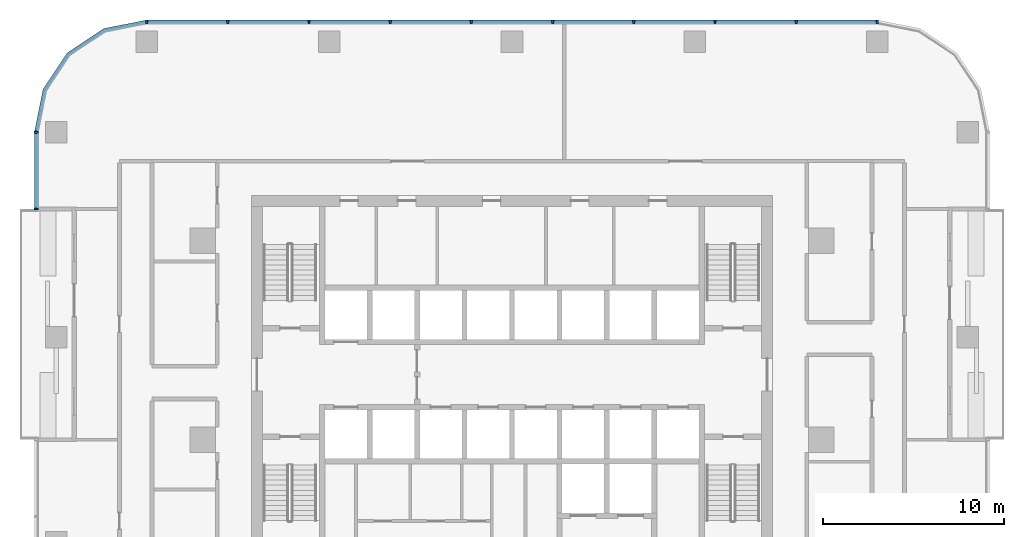
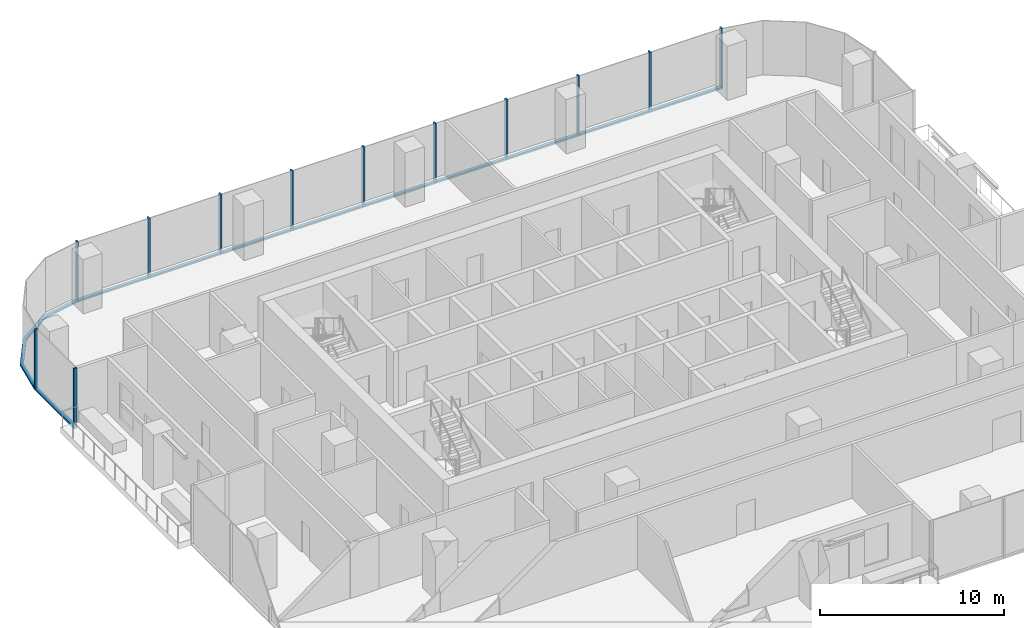
# One storey, part 4 of 14: 23 members, 3 elements without a shape of their own.
"""IFC4 building model written with IfcOpenShell, lengths in metres."""

from ifc_helpers import new_model, si_unit, direction, frame, origin, origin_2d, place, context, subcontext, project, spatial, polyline, rectangle, outline, extrude, material, material_profile, profile_set, type_object, element, aggregate, save


model = new_model("IFC4")

# Units and contexts
model_context = context("Model", 3, precision=1e-05, world=origin(), true_north=direction((0.0, 1.0)))
body_context = subcontext(model_context, "Body", "Model", "MODEL_VIEW")
ifc_project = project(units=[si_unit("LENGTHUNIT", "METRE"), si_unit("AREAUNIT", "SQUARE_METRE"), si_unit("VOLUMEUNIT", "CUBIC_METRE"), si_unit("PLANEANGLEUNIT", "RADIAN"), si_unit("MASSUNIT", "GRAM", prefix="KILO")], contexts=[model_context])

# Site, building, storey
site_placement = place(None, origin())
site = spatial("IfcSite", under=ifc_project, at=site_placement, CompositionType="ELEMENT")
building_placement = place(site_placement, origin())
building = spatial("IfcBuilding", under=site, at=building_placement, Name="Mopane Tessera Tower", CompositionType="ELEMENT")
storey_placement = place(building_placement, frame((0.0, 0.0, 161.0)))
storey = spatial("IfcBuildingStorey", under=building, at=storey_placement, Name="L32", CompositionType="ELEMENT", Elevation=161.0)

# Curtain wall, members
ifc_material_1 = material(Name="Aluminium frame", Category="aluminium")
curtain_wall_type = type_object("IfcCurtainWallType", Name="Unitised curtain wall", PredefinedType="NOTDEFINED", material=ifc_material_1)
curtain_wall_1_placement = place(storey_placement, origin())
curtain_wall_1 = element("IfcCurtainWall", 1, at=curtain_wall_1_placement, inside=storey, type_object=curtain_wall_type, Name="e:cw:L32:N:0", PredefinedType="NOTDEFINED")
ifc_material_2 = material(Name="Aluminium frame", Category="aluminium")
ifc_material_profile_1 = material_profile(ifc_material_2, rectangle(XDim=0.10009765625, YDim=0.199951171875, at=origin_2d()))
ifc_profile_set_1 = profile_set([ifc_material_profile_1], Name="Aluminium frame")
member_type_1 = type_object("IfcMemberType", Name="Aluminium mullion 100 x 200", PredefinedType="MULLION", material=ifc_profile_set_1)
member_1_placement = place(storey_placement, frame((20.199951171875, 23.10009765625, -0.39990234375), z_axis=(0.0, 0.0, 1.0), x_axis=(-1.0, 0.0, 0.0)))
member_1 = element("IfcMember", 2, at=member_1_placement, type_object=member_type_1, Name="e:cw:L32:N:0:mu0", PredefinedType="MULLION", context=body_context, shape_type="SweptSolid", body=[
    extrude(rectangle(XDim=0.10009765625, YDim=0.199951171875, at=origin_2d()), origin(), (0.0, 0.0, 1.0), 4.0),
])
member_2_placement = place(storey_placement, frame((15.711181640625, 23.10009765625, -0.39990234375), z_axis=(0.0, 0.0, 1.0), x_axis=(-1.0, 0.0, 0.0)))
member_2 = element("IfcMember", 3, at=member_2_placement, type_object=member_type_1, Name="e:cw:L32:N:0:mu1", PredefinedType="MULLION", context=body_context, shape_type="SweptSolid", body=[
    extrude(rectangle(XDim=0.10009765625, YDim=0.199951171875, at=origin_2d()), origin(), (0.0, 0.0, 1.0), 4.0),
])
member_3_placement = place(storey_placement, frame((11.22216796875, 23.10009765625, -0.39990234375), z_axis=(0.0, 0.0, 1.0), x_axis=(-1.0, 0.0, 0.0)))
member_3 = element("IfcMember", 4, at=member_3_placement, type_object=member_type_1, Name="e:cw:L32:N:0:mu2", PredefinedType="MULLION", context=body_context, shape_type="SweptSolid", body=[
    extrude(rectangle(XDim=0.10009765625, YDim=0.199951171875, at=origin_2d()), origin(), (0.0, 0.0, 1.0), 4.0),
])
member_4_placement = place(storey_placement, frame((6.7333984375, 23.10009765625, -0.39990234375), z_axis=(0.0, 0.0, 1.0), x_axis=(-1.0, 0.0, 0.0)))
member_4 = element("IfcMember", 5, at=member_4_placement, type_object=member_type_1, Name="e:cw:L32:N:0:mu3", PredefinedType="MULLION", context=body_context, shape_type="SweptSolid", body=[
    extrude(rectangle(XDim=0.10009765625, YDim=0.199951171875, at=origin_2d()), origin(), (0.0, 0.0, 1.0), 4.0),
])
member_5_placement = place(storey_placement, frame((2.244384765625, 23.10009765625, -0.39990234375), z_axis=(0.0, 0.0, 1.0), x_axis=(-1.0, 0.0, 0.0)))
member_5 = element("IfcMember", 6, at=member_5_placement, type_object=member_type_1, Name="e:cw:L32:N:0:mu4", PredefinedType="MULLION", context=body_context, shape_type="SweptSolid", body=[
    extrude(rectangle(XDim=0.10009765625, YDim=0.199951171875, at=origin_2d()), origin(), (0.0, 0.0, 1.0), 4.0),
])
member_6_placement = place(storey_placement, frame((-2.244384765625, 23.10009765625, -0.39990234375), z_axis=(0.0, 0.0, 1.0), x_axis=(-1.0, 0.0, 0.0)))
member_6 = element("IfcMember", 7, at=member_6_placement, type_object=member_type_1, Name="e:cw:L32:N:0:mu5", PredefinedType="MULLION", context=body_context, shape_type="SweptSolid", body=[
    extrude(rectangle(XDim=0.10009765625, YDim=0.199951171875, at=origin_2d()), origin(), (0.0, 0.0, 1.0), 4.0),
])
member_7_placement = place(storey_placement, frame((-6.7333984375, 23.10009765625, -0.39990234375), z_axis=(0.0, 0.0, 1.0), x_axis=(-1.0, 0.0, 0.0)))
member_7 = element("IfcMember", 8, at=member_7_placement, type_object=member_type_1, Name="e:cw:L32:N:0:mu6", PredefinedType="MULLION", context=body_context, shape_type="SweptSolid", body=[
    extrude(rectangle(XDim=0.10009765625, YDim=0.199951171875, at=origin_2d()), origin(), (0.0, 0.0, 1.0), 4.0),
])
member_8_placement = place(storey_placement, frame((-11.22216796875, 23.10009765625, -0.39990234375), z_axis=(0.0, 0.0, 1.0), x_axis=(-1.0, 0.0, 0.0)))
member_8 = element("IfcMember", 9, at=member_8_placement, type_object=member_type_1, Name="e:cw:L32:N:0:mu7", PredefinedType="MULLION", context=body_context, shape_type="SweptSolid", body=[
    extrude(rectangle(XDim=0.10009765625, YDim=0.199951171875, at=origin_2d()), origin(), (0.0, 0.0, 1.0), 4.0),
])
member_9_placement = place(storey_placement, frame((-15.711181640625, 23.10009765625, -0.39990234375), z_axis=(0.0, 0.0, 1.0), x_axis=(-1.0, 0.0, 0.0)))
member_9 = element("IfcMember", 10, at=member_9_placement, type_object=member_type_1, Name="e:cw:L32:N:0:mu8", PredefinedType="MULLION", context=body_context, shape_type="SweptSolid", body=[
    extrude(rectangle(XDim=0.10009765625, YDim=0.199951171875, at=origin_2d()), origin(), (0.0, 0.0, 1.0), 4.0),
])
member_10_placement = place(storey_placement, frame((-20.199951171875, 23.10009765625, -0.39990234375), z_axis=(0.0, 0.0, 1.0), x_axis=(-1.0, 0.0, 0.0)))
member_10 = element("IfcMember", 11, at=member_10_placement, type_object=member_type_1, Name="e:cw:L32:N:0:mu9", PredefinedType="MULLION", context=body_context, shape_type="SweptSolid", body=[
    extrude(rectangle(XDim=0.10009765625, YDim=0.199951171875, at=origin_2d()), origin(), (0.0, 0.0, 1.0), 4.0),
])

curtain_wall_2_placement = place(storey_placement, origin())
curtain_wall_2 = element("IfcCurtainWall", 12, at=curtain_wall_2_placement, inside=storey, type_object=curtain_wall_type, Name="e:cw:L32:W:0", PredefinedType="NOTDEFINED")
member_11_placement = place(storey_placement, frame((-26.300048828125, 17.0, -0.39990234375), z_axis=(0.0, 0.0, 1.0), x_axis=(0.0, -1.0, 0.0)))
member_11 = element("IfcMember", 13, at=member_11_placement, type_object=member_type_1, Name="e:cw:L32:W:0:mu0", PredefinedType="MULLION", context=body_context, shape_type="SweptSolid", body=[
    extrude(rectangle(XDim=0.10009765625, YDim=0.199951171875, at=origin_2d()), origin(), (0.0, 0.0, 1.0), 4.0),
])
member_12_placement = place(storey_placement, frame((-26.300048828125, 12.75, -0.39990234375), z_axis=(0.0, 0.0, 1.0), x_axis=(0.0, -1.0, 0.0)))
member_12 = element("IfcMember", 14, at=member_12_placement, type_object=member_type_1, Name="e:cw:L32:W:0:mu1", PredefinedType="MULLION", context=body_context, shape_type="SweptSolid", body=[
    extrude(rectangle(XDim=0.10009765625, YDim=0.199951171875, at=origin_2d()), origin(), (0.0, 0.0, 1.0), 4.0),
])

# Member
ifc_material_3 = material(Name="Aluminium frame", Category="aluminium")
ifc_material_profile_2 = material_profile(ifc_material_3, rectangle(XDim=0.199951171875, YDim=0.1201171875, at=origin_2d()))
ifc_profile_set_2 = profile_set([ifc_material_profile_2], Name="Aluminium frame")
member_type_2 = type_object("IfcMemberType", Name="Aluminium transom 200 x 120", PredefinedType="USERDEFINED", material=ifc_profile_set_2)
member_13_placement = place(storey_placement, frame((20.14990234375, 23.10009765625, -0.340087890625), z_axis=(-1.0, 0.0, 0.0), x_axis=(0.0, -1.0, 0.0)))
member_13 = element("IfcMember", 15, at=member_13_placement, type_object=member_type_2, Name="e:cw:L32:N:0:tr0", ObjectType="TRANSOM", PredefinedType="USERDEFINED", context=body_context, shape_type="SweptSolid", body=[
    extrude(rectangle(XDim=0.199951171875, YDim=0.1201171875, at=origin_2d()), origin(), (0.0, 0.0, 1.0), 4.388671875),
])

member_14_placement = place(storey_placement, frame((15.6611328125, 23.10009765625, -0.340087890625), z_axis=(-1.0, 0.0, 0.0), x_axis=(0.0, -1.0, 0.0)))
member_14 = element("IfcMember", 16, at=member_14_placement, type_object=member_type_2, Name="e:cw:L32:N:0:tr1", ObjectType="TRANSOM", PredefinedType="USERDEFINED", context=body_context, shape_type="SweptSolid", body=[
    extrude(rectangle(XDim=0.199951171875, YDim=0.1201171875, at=origin_2d()), origin(), (0.0, 0.0, 1.0), 4.388916015625),
])

member_15_placement = place(storey_placement, frame((11.172119140625, 23.10009765625, -0.340087890625), z_axis=(-1.0, 0.0, 0.0), x_axis=(0.0, -1.0, 0.0)))
member_15 = element("IfcMember", 17, at=member_15_placement, type_object=member_type_2, Name="e:cw:L32:N:0:tr2", ObjectType="TRANSOM", PredefinedType="USERDEFINED", context=body_context, shape_type="SweptSolid", body=[
    extrude(rectangle(XDim=0.199951171875, YDim=0.1201171875, at=origin_2d()), origin(), (0.0, 0.0, 1.0), 4.388671875),
])

member_16_placement = place(storey_placement, frame((6.683349609375, 23.10009765625, -0.340087890625), z_axis=(-1.0, 0.0, 0.0), x_axis=(0.0, -1.0, 0.0)))
member_16 = element("IfcMember", 18, at=member_16_placement, type_object=member_type_2, Name="e:cw:L32:N:0:tr3", ObjectType="TRANSOM", PredefinedType="USERDEFINED", context=body_context, shape_type="SweptSolid", body=[
    extrude(rectangle(XDim=0.199951171875, YDim=0.1201171875, at=origin_2d()), origin(), (0.0, 0.0, 1.0), 4.388916015625),
])

member_17_placement = place(storey_placement, frame((2.1943359375, 23.10009765625, -0.340087890625), z_axis=(-1.0, 0.0, 0.0), x_axis=(0.0, -1.0, 0.0)))
member_17 = element("IfcMember", 19, at=member_17_placement, type_object=member_type_2, Name="e:cw:L32:N:0:tr4", ObjectType="TRANSOM", PredefinedType="USERDEFINED", context=body_context, shape_type="SweptSolid", body=[
    extrude(rectangle(XDim=0.199951171875, YDim=0.1201171875, at=origin_2d()), origin(), (0.0, 0.0, 1.0), 4.388671875),
])

member_18_placement = place(storey_placement, frame((-2.29443359375, 23.10009765625, -0.340087890625), z_axis=(-1.0, 0.0, 0.0), x_axis=(0.0, -1.0, 0.0)))
member_18 = element("IfcMember", 20, at=member_18_placement, type_object=member_type_2, Name="e:cw:L32:N:0:tr5", ObjectType="TRANSOM", PredefinedType="USERDEFINED", context=body_context, shape_type="SweptSolid", body=[
    extrude(rectangle(XDim=0.199951171875, YDim=0.1201171875, at=origin_2d()), origin(), (0.0, 0.0, 1.0), 4.388916015625),
])

member_19_placement = place(storey_placement, frame((-6.783447265625, 23.10009765625, -0.340087890625), z_axis=(-1.0, 0.0, 0.0), x_axis=(0.0, -1.0, 0.0)))
member_19 = element("IfcMember", 21, at=member_19_placement, type_object=member_type_2, Name="e:cw:L32:N:0:tr6", ObjectType="TRANSOM", PredefinedType="USERDEFINED", context=body_context, shape_type="SweptSolid", body=[
    extrude(rectangle(XDim=0.199951171875, YDim=0.1201171875, at=origin_2d()), origin(), (0.0, 0.0, 1.0), 4.388671875),
])

member_20_placement = place(storey_placement, frame((-11.272216796875, 23.10009765625, -0.340087890625), z_axis=(-1.0, 0.0, 0.0), x_axis=(0.0, -1.0, 0.0)))
member_20 = element("IfcMember", 22, at=member_20_placement, type_object=member_type_2, Name="e:cw:L32:N:0:tr7", ObjectType="TRANSOM", PredefinedType="USERDEFINED", context=body_context, shape_type="SweptSolid", body=[
    extrude(rectangle(XDim=0.199951171875, YDim=0.1201171875, at=origin_2d()), origin(), (0.0, 0.0, 1.0), 4.388916015625),
])

member_21_placement = place(storey_placement, frame((-15.76123046875, 23.10009765625, -0.340087890625), z_axis=(-1.0, 0.0, 0.0), x_axis=(0.0, -1.0, 0.0)))
member_21 = element("IfcMember", 23, at=member_21_placement, type_object=member_type_2, Name="e:cw:L32:N:0:tr8", ObjectType="TRANSOM", PredefinedType="USERDEFINED", context=body_context, shape_type="SweptSolid", body=[
    extrude(rectangle(XDim=0.199951171875, YDim=0.1201171875, at=origin_2d()), origin(), (0.0, 0.0, 1.0), 4.388671875),
])

aggregate(curtain_wall_1, [member_1, member_2, member_3, member_4, member_5, member_6, member_7, member_8, member_9, member_10, member_13, member_14, member_15, member_16, member_17, member_18, member_19, member_20, member_21])

# Curtain wall, member
curtain_wall_3_placement = place(storey_placement, origin())
curtain_wall_3 = element("IfcCurtainWall", 24, at=curtain_wall_3_placement, inside=storey, type_object=curtain_wall_type, Name="e:cw:L32:CN", PredefinedType="NOTDEFINED")
member_22_placement = place(storey_placement, frame((0.0, 0.0, -0.39990234375)))
member_22 = element("IfcMember", 25, at=member_22_placement, type_object=member_type_2, Name="e:cw:L32:CN:tr", ObjectType="TRANSOM", PredefinedType="USERDEFINED", context=body_context, shape_type="SweptSolid", body=[
    extrude(outline(polyline([(-20.199951171875, 23.0), (-22.49609375, 22.543212890625), (-24.442626953125, 21.24267578125), (-25.7431640625, 19.296142578125), (-26.199951171875, 17.0), (-26.39990234375, 17.0), (-25.927978515625, 19.37255859375), (-24.583984375, 21.384033203125), (-22.57275390625, 22.72802734375), (-20.199951171875, 23.199951171875), (-20.199951171875, 23.0)])), origin(), (0.0, 0.0, 1.0), 0.119873046875),
])
aggregate(curtain_wall_3, [member_22])

# Member
member_23_placement = place(storey_placement, frame((-26.300048828125, 16.949951171875, -0.340087890625), z_axis=(0.0, -1.0, 0.0), x_axis=(1.0, 0.0, 0.0)))
member_23 = element("IfcMember", 26, at=member_23_placement, type_object=member_type_2, Name="e:cw:L32:W:0:tr0", ObjectType="TRANSOM", PredefinedType="USERDEFINED", context=body_context, shape_type="SweptSolid", body=[
    extrude(rectangle(XDim=0.199951171875, YDim=0.1201171875, at=origin_2d()), origin(), (0.0, 0.0, 1.0), 4.14990234375),
])

aggregate(curtain_wall_2, [member_11, member_12, member_23])

save(model, "model.ifc")
